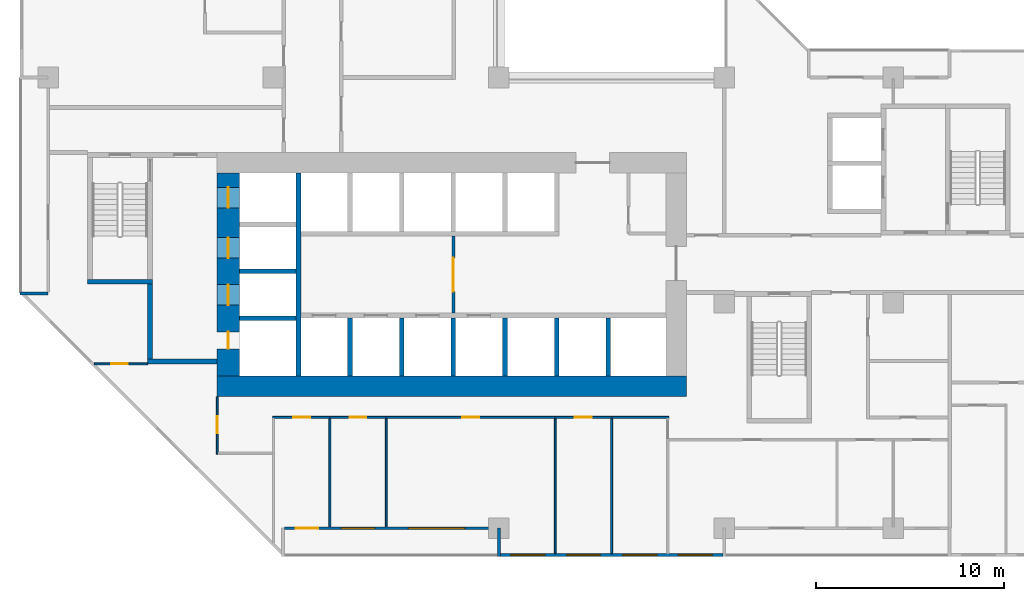
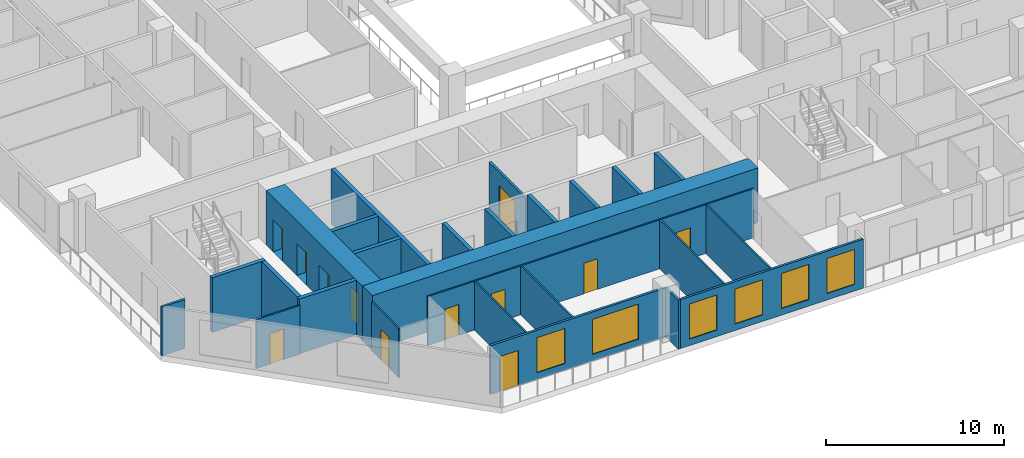
# One storey, part 4 of 15: 26 walls, 12 doors, 6 windows, 18 openings.
"""IFC4 building model written with IfcOpenShell, lengths in metres."""

from ifc_helpers import new_model, si_unit, direction, frame, frame_2d, origin, place, context, subcontext, project, spatial, rectangle, extrude, material, layer, layer_set, type_object, element, fill, save


model = new_model("IFC4")

# Units and contexts
model_context = context("Model", 3, precision=1e-05, world=origin(), true_north=direction((0.0, 1.0)))
body_context = subcontext(model_context, "Body", "Model", "MODEL_VIEW")
ifc_project = project(units=[si_unit("LENGTHUNIT", "METRE"), si_unit("AREAUNIT", "SQUARE_METRE"), si_unit("VOLUMEUNIT", "CUBIC_METRE"), si_unit("PLANEANGLEUNIT", "RADIAN"), si_unit("MASSUNIT", "GRAM", prefix="KILO")], contexts=[model_context])

# Site, building, storey
site_placement = place(None, origin())
site = spatial("IfcSite", under=ifc_project, at=site_placement, CompositionType="ELEMENT")
building_placement = place(site_placement, origin())
building = spatial("IfcBuilding", under=site, at=building_placement, Name="Chenar Terraces", CompositionType="ELEMENT")
storey_placement = place(building_placement, frame((0.0, 0.0, 45.14990234375)))
storey = spatial("IfcBuildingStorey", under=building, at=storey_placement, Name="L08", CompositionType="ELEMENT", Elevation=45.14990234375)

# Wall, opening, door
ifc_material_1 = material(Name="Gypsum board on steel studs", Category="steel")
ifc_layer_1 = layer(ifc_material_1, 0.14990234375)
ifc_layer_set_1 = layer_set([ifc_layer_1], Name="Gypsum board on steel studs")
wall_type_1 = type_object("IfcWallType", Name="Core partition 150 gypsum board", PredefinedType="PARTITIONING", material=ifc_layer_set_1)
wall_1_placement = place(storey_placement, frame((21.574951171875, 11.449951171875, 0.0), z_axis=(0.0, 0.0, 1.0), x_axis=(0.0, 1.0, 0.0)))
wall_1 = element("IfcWall", 1, at=wall_1_placement, inside=storey, type_object=wall_type_1, Name="Core partition CP1 lift lobby smoke stop", PredefinedType="PARTITIONING", context=body_context, shape_type="SweptSolid", body=[
    extrude(rectangle(XDim=4.10009765625, YDim=0.14990234375, at=frame_2d((2.050048828125, 0.0))), origin(), (0.0, 0.0, 1.0), 3.35009765625),
])
opening_1_placement = place(wall_1_placement, frame((1.14990234375, 0.0, 0.0)))
opening_1 = element("IfcOpeningElement", 2, at=opening_1_placement, cuts=wall_1, Name="Opening DL08-C12", PredefinedType="OPENING", context=body_context, shape_type="SweptSolid", body=[
    extrude(rectangle(XDim=1.800048828125, YDim=2.39990234375, at=frame_2d((0.89990234375, 1.199951171875))), frame((0.0, 0.0849609375, 0.0), z_axis=(0.0, -1.0, 0.0), x_axis=(1.0, 0.0, 0.0)), (0.0, 0.0, 1.0), 0.169921875),
])
ifc_material_2 = material(Name="Steel-framed fire-resisting door leaf", Category="steel")
door_type_1 = type_object("IfcDoorType", Name="Core entrance double fire door FD60 1800 x 2400", OperationType="DOUBLE_DOOR_SINGLE_SWING", PredefinedType="DOOR", material=ifc_material_2)
door_1_placement = place(opening_1_placement, frame((1.800048828125, 0.0, 0.0), z_axis=(0.0, 0.0, 1.0), x_axis=(-1.0, 0.0, 0.0)))
door_1 = element("IfcDoor", 3, at=door_1_placement, inside=storey, type_object=door_type_1, Name="Core door DL08-C12", OperationType="DOUBLE_DOOR_SINGLE_SWING", OverallHeight=2.39990234375, OverallWidth=1.800048828125, PredefinedType="DOOR", context=body_context, shape_type="SweptSolid", body=[
    extrude(rectangle(XDim=1.800048828125, YDim=2.39990234375, at=frame_2d((0.89990234375, 1.199951171875))), frame((0.0, 0.02490234375, 0.0), z_axis=(0.0, -1.0, 0.0), x_axis=(1.0, 0.0, 0.0)), (0.0, 0.0, 1.0), 0.050048828125),
])
fill(opening_1, door_1)

# Wall
ifc_material_3 = material(Name="Concrete C70/85", Category="concrete")
ifc_layer_2 = layer(ifc_material_3, 1.10009765625)
ifc_layer_set_2 = layer_set([ifc_layer_2], Name="Concrete C70/85")
wall_type_2 = type_object("IfcWallType", Name="Core wall 1100 Concrete C70/85", PredefinedType="SHEAR", material=ifc_layer_set_2)
wall_2_placement = place(storey_placement, frame((9.0, 7.550048828125, 0.0), z_axis=(0.0, 0.0, 1.0), x_axis=(1.0, 0.0, 0.0)))
element("IfcWall", 4, at=wall_2_placement, inside=storey, type_object=wall_type_2, Name="Core wall S L08", PredefinedType="SHEAR", context=body_context, shape_type="SweptSolid", body=[
    extrude(rectangle(XDim=25.0, YDim=1.10009765625, at=frame_2d((12.5, 0.0))), origin(), (0.0, 0.0, 1.0), 3.75),
])

# Wall, openings, doors
ifc_material_4 = material(Name="Concrete C70/85", Category="concrete")
ifc_layer_3 = layer(ifc_material_4, 1.199951171875)
ifc_layer_set_3 = layer_set([ifc_layer_3], Name="Concrete C70/85")
wall_type_3 = type_object("IfcWallType", Name="Core wall 1200 Concrete C70/85", PredefinedType="SHEAR", material=ifc_layer_set_3)
wall_3_placement = place(storey_placement, frame((9.60009765625, 8.10009765625, 0.0), z_axis=(0.0, 0.0, 1.0), x_axis=(0.0, 1.0, 0.0)))
wall_3 = element("IfcWall", 5, at=wall_3_placement, inside=storey, type_object=wall_type_3, Name="Core wall W L08", PredefinedType="SHEAR", context=body_context, shape_type="SweptSolid", body=[
    extrude(rectangle(XDim=10.7998046875, YDim=1.199951171875, at=frame_2d((5.39990234375, 0.0))), origin(), (0.0, 0.0, 1.0), 3.75),
])
opening_2_placement = place(wall_3_placement, frame((3.77490234375, 0.0, 0.0)))
opening_2 = element("IfcOpeningElement", 6, at=opening_2_placement, cuts=wall_3, Name="Opening DL08-LD5", PredefinedType="OPENING", context=body_context, shape_type="SweptSolid", body=[
    extrude(rectangle(XDim=1.10009765625, YDim=2.199951171875, at=frame_2d((0.550048828125, 1.10009765625))), frame((0.0, 0.60986328125, 0.0), z_axis=(0.0, -1.0, 0.0), x_axis=(1.0, 0.0, 0.0)), (0.0, 0.0, 1.0), 1.219970703125),
])
opening_3_placement = place(wall_3_placement, frame((6.27490234375, 0.0, 0.0)))
opening_3 = element("IfcOpeningElement", 7, at=opening_3_placement, cuts=wall_3, Name="Opening DL08-LD6", PredefinedType="OPENING", context=body_context, shape_type="SweptSolid", body=[
    extrude(rectangle(XDim=1.10009765625, YDim=2.199951171875, at=frame_2d((0.550048828125, 1.10009765625))), frame((0.0, 0.60986328125, 0.0), z_axis=(0.0, -1.0, 0.0), x_axis=(1.0, 0.0, 0.0)), (0.0, 0.0, 1.0), 1.219970703125),
])
opening_4_placement = place(wall_3_placement, frame((8.949951171875, 0.0, 0.0)))
opening_4 = element("IfcOpeningElement", 8, at=opening_4_placement, cuts=wall_3, Name="Opening DL08-LD7", PredefinedType="OPENING", context=body_context, shape_type="SweptSolid", body=[
    extrude(rectangle(XDim=1.10009765625, YDim=2.199951171875, at=frame_2d((0.550048828125, 1.10009765625))), frame((0.0, 0.60986328125, 0.0), z_axis=(0.0, -1.0, 0.0), x_axis=(1.0, 0.0, 0.0)), (0.0, 0.0, 1.0), 1.219970703125),
])
opening_5_placement = place(wall_3_placement, frame((1.449951171875, 0.0, 0.0)))
opening_5 = element("IfcOpeningElement", 9, at=opening_5_placement, cuts=wall_3, Name="Opening DL08-C4", PredefinedType="OPENING", context=body_context, shape_type="SweptSolid", body=[
    extrude(rectangle(XDim=0.89990234375, YDim=2.10009765625, at=frame_2d((0.449951171875, 1.050048828125))), frame((0.0, 0.60986328125, 0.0), z_axis=(0.0, -1.0, 0.0), x_axis=(1.0, 0.0, 0.0)), (0.0, 0.0, 1.0), 1.219970703125),
])
ifc_material_5 = material(Name="Stainless steel", Category="steel")
door_type_2 = type_object("IfcDoorType", Name="Lift landing door 1100 x 2200 sliding", OperationType="DOUBLE_DOOR_SLIDING", PredefinedType="DOOR", material=ifc_material_5)
door_2_placement = place(opening_2_placement, origin())
door_2 = element("IfcDoor", 10, at=door_2_placement, inside=storey, type_object=door_type_2, Name="Landing door S1", OperationType="DOUBLE_DOOR_SLIDING", OverallHeight=2.199951171875, OverallWidth=1.10009765625, PredefinedType="DOOR", context=body_context, shape_type="SweptSolid", body=[
    extrude(rectangle(XDim=1.10009765625, YDim=2.199951171875, at=frame_2d((0.550048828125, 1.10009765625))), frame((0.0, 0.02490234375, 0.0), z_axis=(0.0, -1.0, 0.0), x_axis=(1.0, 0.0, 0.0)), (0.0, 0.0, 1.0), 0.050048828125),
])
fill(opening_2, door_2)
door_3_placement = place(opening_3_placement, origin())
door_3 = element("IfcDoor", 11, at=door_3_placement, inside=storey, type_object=door_type_2, Name="Landing door F1", OperationType="DOUBLE_DOOR_SLIDING", OverallHeight=2.199951171875, OverallWidth=1.10009765625, PredefinedType="DOOR", context=body_context, shape_type="SweptSolid", body=[
    extrude(rectangle(XDim=1.10009765625, YDim=2.199951171875, at=frame_2d((0.550048828125, 1.10009765625))), frame((0.0, 0.02490234375, 0.0), z_axis=(0.0, -1.0, 0.0), x_axis=(1.0, 0.0, 0.0)), (0.0, 0.0, 1.0), 0.050048828125),
])
fill(opening_3, door_3)
door_4_placement = place(opening_4_placement, origin())
door_4 = element("IfcDoor", 12, at=door_4_placement, inside=storey, type_object=door_type_2, Name="Landing door F2", OperationType="DOUBLE_DOOR_SLIDING", OverallHeight=2.199951171875, OverallWidth=1.10009765625, PredefinedType="DOOR", context=body_context, shape_type="SweptSolid", body=[
    extrude(rectangle(XDim=1.10009765625, YDim=2.199951171875, at=frame_2d((0.550048828125, 1.10009765625))), frame((0.0, 0.02490234375, 0.0), z_axis=(0.0, -1.0, 0.0), x_axis=(1.0, 0.0, 0.0)), (0.0, 0.0, 1.0), 0.050048828125),
])
fill(opening_4, door_4)
ifc_material_6 = material(Name="Steel-framed fire-resisting door leaf", Category="steel")
door_type_3 = type_object("IfcDoorType", Name="Riser fire door FD60 900 x 2100", OperationType="SINGLE_SWING_LEFT", PredefinedType="DOOR", material=ifc_material_6)
door_5_placement = place(opening_5_placement, frame((0.89990234375, 0.0, 0.0), z_axis=(0.0, 0.0, 1.0), x_axis=(-1.0, 0.0, 0.0)))
door_5 = element("IfcDoor", 13, at=door_5_placement, inside=storey, type_object=door_type_3, Name="Riser door DL08-C4", OperationType="SINGLE_SWING_RIGHT", OverallHeight=2.10009765625, OverallWidth=0.89990234375, PredefinedType="DOOR", context=body_context, shape_type="SweptSolid", body=[
    extrude(rectangle(XDim=0.89990234375, YDim=2.10009765625, at=frame_2d((0.449951171875, 1.050048828125))), frame((0.0, 0.02490234375, 0.0), z_axis=(0.0, -1.0, 0.0), x_axis=(1.0, 0.0, 0.0)), (0.0, 0.0, 1.0), 0.050048828125),
])
fill(opening_5, door_5)

# Walls
ifc_material_7 = material(Name="Concrete C70/85", Category="concrete")
ifc_layer_4 = layer(ifc_material_7, 0.25)
ifc_layer_set_4 = layer_set([ifc_layer_4], Name="Concrete C70/85")
wall_type_4 = type_object("IfcWallType", Name="Core wall 250 Concrete C70/85", PredefinedType="SHEAR", material=ifc_layer_set_4)
wall_4_placement = place(storey_placement, frame((13.324951171875, 8.10009765625, 0.0), z_axis=(0.0, 0.0, 1.0), x_axis=(0.0, 1.0, 0.0)))
element("IfcWall", 14, at=wall_4_placement, inside=storey, type_object=wall_type_4, Name="Core wall WI L08", PredefinedType="SHEAR", context=body_context, shape_type="SweptSolid", body=[
    extrude(rectangle(XDim=10.7998046875, YDim=0.25, at=frame_2d((5.39990234375, 0.0))), origin(), (0.0, 0.0, 1.0), 3.75),
])
for number, where, z_axis, x_axis, name in (
    (15, (10.199951171875, 11.175048828125, 0.0), (0.0, 0.0, 1.0), (1.0, 0.0, 0.0), "Core wall HW0 L08"),
    (16, (10.199951171875, 13.675048828125, 0.0), (0.0, 0.0, 1.0), (1.0, 0.0, 0.0), "Core wall HW1 L08"),
):
    element("IfcWall", number, at=place(storey_placement, frame(where, z_axis=z_axis, x_axis=x_axis)), inside=storey, type_object=wall_type_4, Name=name, PredefinedType="SHEAR", context=body_context, shape_type="SweptSolid", body=[
        extrude(rectangle(XDim=3.0, YDim=0.25, at=frame_2d((1.5, 0.0))), origin(), (0.0, 0.0, 1.0), 3.75),
    ])
for number, where, z_axis, x_axis, name in (
    (17, (16.074951171875, 8.10009765625, 0.0), (0.0, 0.0, 1.0), (0.0, 1.0, 0.0), "Core wall SS0 L08"),
    (18, (18.824951171875, 8.10009765625, 0.0), (0.0, 0.0, 1.0), (0.0, 1.0, 0.0), "Core wall SS1 L08"),
    (19, (21.574951171875, 8.10009765625, 0.0), (0.0, 0.0, 1.0), (0.0, 1.0, 0.0), "Core wall SS2 L08"),
    (20, (24.324951171875, 8.10009765625, 0.0), (0.0, 0.0, 1.0), (0.0, 1.0, 0.0), "Core wall SS3 L08"),
    (21, (27.074951171875, 8.10009765625, 0.0), (0.0, 0.0, 1.0), (0.0, 1.0, 0.0), "Core wall SS4 L08"),
    (22, (29.824951171875, 8.10009765625, 0.0), (0.0, 0.0, 1.0), (0.0, 1.0, 0.0), "Core wall SS5 L08"),
):
    element("IfcWall", number, at=place(storey_placement, frame(where, z_axis=z_axis, x_axis=x_axis)), inside=storey, type_object=wall_type_4, Name=name, PredefinedType="SHEAR", context=body_context, shape_type="SweptSolid", body=[
        extrude(rectangle(XDim=3.099853515625, YDim=0.25, at=frame_2d((1.5498046875, 0.0))), origin(), (0.0, 0.0, 1.0), 3.75),
    ])
wall_5_placement = place(storey_placement, frame((2.10009765625, 13.125, 0.0), z_axis=(0.0, 0.0, 1.0), x_axis=(1.0, 0.0, 0.0)))
element("IfcWall", 23, at=wall_5_placement, inside=storey, type_object=wall_type_4, Name="Core wall ST1_S L08", PredefinedType="SHEAR", context=body_context, shape_type="SweptSolid", body=[
    extrude(rectangle(XDim=3.449951171875, YDim=0.25, at=frame_2d((1.72509765625, 0.0))), origin(), (0.0, 0.0, 1.0), 3.75),
])
wall_6_placement = place(storey_placement, frame((5.300048828125, 8.875, 0.0), z_axis=(0.0, 0.0, 1.0), x_axis=(1.0, 0.0, 0.0)))
element("IfcWall", 24, at=wall_6_placement, inside=storey, type_object=wall_type_4, Name="Core wall FFL_S L08", PredefinedType="SHEAR", context=body_context, shape_type="SweptSolid", body=[
    extrude(rectangle(XDim=3.699951171875, YDim=0.25, at=frame_2d((1.85009765625, 0.0))), origin(), (0.0, 0.0, 1.0), 3.75),
])
wall_7_placement = place(storey_placement, frame((5.425048828125, 9.0, 0.0), z_axis=(0.0, 0.0, 1.0), x_axis=(0.0, 1.0, 0.0)))
element("IfcWall", 25, at=wall_7_placement, inside=storey, type_object=wall_type_4, Name="Core wall FFL_W L08", PredefinedType="SHEAR", context=body_context, shape_type="SweptSolid", body=[
    extrude(rectangle(XDim=4.0, YDim=0.25, at=frame_2d((2.0, 0.0))), origin(), (0.0, 0.0, 1.0), 3.75),
])

# Wall, openings, windows
ifc_material_8 = material(Name="Aluminium framed glazing", Category="aluminium")
ifc_layer_5 = layer(ifc_material_8, 0.14990234375)
ifc_layer_set_5 = layer_set([ifc_layer_5], Name="Aluminium framed glazing")
wall_type_5 = type_object("IfcWallType", Name="Glazed flush facade wall 150", PredefinedType="SOLIDWALL", material=ifc_layer_set_5)
wall_8_placement = place(storey_placement, frame((24.074951171875, -1.425048828125, 0.0), z_axis=(0.0, 0.0, 1.0), x_axis=(1.0, 0.0, 0.0)))
wall_8 = element("IfcWall", 26, at=wall_8_placement, inside=storey, type_object=wall_type_5, Name="Glazed flush facade wall", PredefinedType="SOLIDWALL", context=body_context, shape_type="SweptSolid", body=[
    extrude(rectangle(XDim=11.85009765625, YDim=0.14990234375, at=frame_2d((5.925048828125, 0.0))), origin(), (0.0, 0.0, 1.0), 3.35009765625),
])
opening_6_placement = place(wall_8_placement, frame((0.5625, 0.0, 0.449951171875)))
opening_6 = element("IfcOpeningElement", 27, at=opening_6_placement, cuts=wall_8, Name="Opening W180x240", PredefinedType="OPENING", context=body_context, shape_type="SweptSolid", body=[
    extrude(rectangle(XDim=1.800048828125, YDim=2.39990234375, at=frame_2d((0.89990234375, 1.199951171875))), frame((0.0, 0.0849609375, 0.0), z_axis=(0.0, -1.0, 0.0), x_axis=(1.0, 0.0, 0.0)), (0.0, 0.0, 1.0), 0.169921875),
])
opening_7_placement = place(wall_8_placement, frame((3.52490234375, 0.0, 0.449951171875)))
opening_7 = element("IfcOpeningElement", 28, at=opening_7_placement, cuts=wall_8, Name="Opening W180x240", PredefinedType="OPENING", context=body_context, shape_type="SweptSolid", body=[
    extrude(rectangle(XDim=1.800048828125, YDim=2.39990234375, at=frame_2d((0.89990234375, 1.199951171875))), frame((0.0, 0.0849609375, 0.0), z_axis=(0.0, -1.0, 0.0), x_axis=(1.0, 0.0, 0.0)), (0.0, 0.0, 1.0), 0.169921875),
])
opening_8_placement = place(wall_8_placement, frame((6.52490234375, 0.0, 0.449951171875)))
opening_8 = element("IfcOpeningElement", 29, at=opening_8_placement, cuts=wall_8, Name="Opening W180x240", PredefinedType="OPENING", context=body_context, shape_type="SweptSolid", body=[
    extrude(rectangle(XDim=1.800048828125, YDim=2.39990234375, at=frame_2d((0.89990234375, 1.199951171875))), frame((0.0, 0.0849609375, 0.0), z_axis=(0.0, -1.0, 0.0), x_axis=(1.0, 0.0, 0.0)), (0.0, 0.0, 1.0), 0.169921875),
])
opening_9_placement = place(wall_8_placement, frame((9.487548828125, 0.0, 0.449951171875)))
opening_9 = element("IfcOpeningElement", 30, at=opening_9_placement, cuts=wall_8, Name="Opening W180x240", PredefinedType="OPENING", context=body_context, shape_type="SweptSolid", body=[
    extrude(rectangle(XDim=1.800048828125, YDim=2.39990234375, at=frame_2d((0.89990234375, 1.199951171875))), frame((0.0, 0.0849609375, 0.0), z_axis=(0.0, -1.0, 0.0), x_axis=(1.0, 0.0, 0.0)), (0.0, 0.0, 1.0), 0.169921875),
])
ifc_material_9 = material(Name="Low emissivity double glazing, aluminium frame", Category="aluminium")
window_type_1 = type_object("IfcWindowType", Name="Fixed light 1800 x 2400", PartitioningType="SINGLE_PANEL", PredefinedType="WINDOW", material=ifc_material_9)
window_1_placement = place(opening_6_placement, origin())
window_1 = element("IfcWindow", 31, at=window_1_placement, inside=storey, type_object=window_type_1, Name="Window", OverallHeight=2.39990234375, OverallWidth=1.800048828125, PartitioningType="SINGLE_PANEL", PredefinedType="WINDOW", context=body_context, shape_type="SweptSolid", body=[
    extrude(rectangle(XDim=1.800048828125, YDim=2.39990234375, at=frame_2d((0.89990234375, 1.199951171875))), frame((0.0, 0.030029296875, 0.0), z_axis=(0.0, -1.0, 0.0), x_axis=(1.0, 0.0, 0.0)), (0.0, 0.0, 1.0), 0.06005859375),
])
fill(opening_6, window_1)
window_2_placement = place(opening_7_placement, origin())
window_2 = element("IfcWindow", 32, at=window_2_placement, inside=storey, type_object=window_type_1, Name="Window", OverallHeight=2.39990234375, OverallWidth=1.800048828125, PartitioningType="SINGLE_PANEL", PredefinedType="WINDOW", context=body_context, shape_type="SweptSolid", body=[
    extrude(rectangle(XDim=1.800048828125, YDim=2.39990234375, at=frame_2d((0.89990234375, 1.199951171875))), frame((0.0, 0.030029296875, 0.0), z_axis=(0.0, -1.0, 0.0), x_axis=(1.0, 0.0, 0.0)), (0.0, 0.0, 1.0), 0.06005859375),
])
fill(opening_7, window_2)
window_3_placement = place(opening_8_placement, origin())
window_3 = element("IfcWindow", 33, at=window_3_placement, inside=storey, type_object=window_type_1, Name="Window", OverallHeight=2.39990234375, OverallWidth=1.800048828125, PartitioningType="SINGLE_PANEL", PredefinedType="WINDOW", context=body_context, shape_type="SweptSolid", body=[
    extrude(rectangle(XDim=1.800048828125, YDim=2.39990234375, at=frame_2d((0.89990234375, 1.199951171875))), frame((0.0, 0.030029296875, 0.0), z_axis=(0.0, -1.0, 0.0), x_axis=(1.0, 0.0, 0.0)), (0.0, 0.0, 1.0), 0.06005859375),
])
fill(opening_8, window_3)
window_4_placement = place(opening_9_placement, origin())
window_4 = element("IfcWindow", 34, at=window_4_placement, inside=storey, type_object=window_type_1, Name="Window", OverallHeight=2.39990234375, OverallWidth=1.800048828125, PartitioningType="SINGLE_PANEL", PredefinedType="WINDOW", context=body_context, shape_type="SweptSolid", body=[
    extrude(rectangle(XDim=1.800048828125, YDim=2.39990234375, at=frame_2d((0.89990234375, 1.199951171875))), frame((0.0, 0.030029296875, 0.0), z_axis=(0.0, -1.0, 0.0), x_axis=(1.0, 0.0, 0.0)), (0.0, 0.0, 1.0), 0.06005859375),
])
fill(opening_9, window_4)

# Wall, openings, windows, door
ifc_material_10 = material(Name="Aluminium framed glazing", Category="aluminium")
ifc_layer_6 = layer(ifc_material_10, 0.14990234375)
ifc_layer_set_6 = layer_set([ifc_layer_6], Name="Aluminium framed glazing")
wall_type_6 = type_object("IfcWallType", Name="Glazed loggia back wall 150", PredefinedType="SOLIDWALL", material=ifc_layer_set_6)
wall_9_placement = place(storey_placement, frame((12.574951171875, 0.0, 0.0), z_axis=(0.0, 0.0, 1.0), x_axis=(1.0, 0.0, 0.0)))
wall_9 = element("IfcWall", 35, at=wall_9_placement, inside=storey, type_object=wall_type_6, Name="Glazed loggia back wall", PredefinedType="SOLIDWALL", context=body_context, shape_type="SweptSolid", body=[
    extrude(rectangle(XDim=11.35009765625, YDim=0.14990234375, at=frame_2d((5.675048828125, 0.0))), origin(), (0.0, 0.0, 1.0), 3.35009765625),
])
opening_10_placement = place(wall_9_placement, frame((0.612548828125, 0.0, 0.0)))
opening_10 = element("IfcOpeningElement", 36, at=opening_10_placement, cuts=wall_9, Name="Opening DL08-G6", PredefinedType="OPENING", context=body_context, shape_type="SweptSolid", body=[
    extrude(rectangle(XDim=1.199951171875, YDim=2.39990234375, at=frame_2d((0.60009765625, 1.199951171875))), frame((0.0, 0.0849609375, 0.0), z_axis=(0.0, -1.0, 0.0), x_axis=(1.0, 0.0, 0.0)), (0.0, 0.0, 1.0), 0.169921875),
])
opening_11_placement = place(wall_9_placement, frame((3.02490234375, 0.0, 0.449951171875)))
opening_11 = element("IfcOpeningElement", 37, at=opening_11_placement, cuts=wall_9, Name="Opening W180x240", PredefinedType="OPENING", context=body_context, shape_type="SweptSolid", body=[
    extrude(rectangle(XDim=1.800048828125, YDim=2.39990234375, at=frame_2d((0.89990234375, 1.199951171875))), frame((0.0, 0.0849609375, 0.0), z_axis=(0.0, -1.0, 0.0), x_axis=(1.0, 0.0, 0.0)), (0.0, 0.0, 1.0), 0.169921875),
])
opening_12_placement = place(wall_9_placement, frame((6.60009765625, 0.0, 0.449951171875)))
opening_12 = element("IfcOpeningElement", 38, at=opening_12_placement, cuts=wall_9, Name="Opening W300x240", PredefinedType="OPENING", context=body_context, shape_type="SweptSolid", body=[
    extrude(rectangle(XDim=3.0, YDim=2.39990234375, at=frame_2d((1.5, 1.199951171875))), frame((0.0, 0.0849609375, 0.0), z_axis=(0.0, -1.0, 0.0), x_axis=(1.0, 0.0, 0.0)), (0.0, 0.0, 1.0), 0.169921875),
])
window_5_placement = place(opening_11_placement, origin())
window_5 = element("IfcWindow", 39, at=window_5_placement, inside=storey, type_object=window_type_1, Name="Window", OverallHeight=2.39990234375, OverallWidth=1.800048828125, PartitioningType="SINGLE_PANEL", PredefinedType="WINDOW", context=body_context, shape_type="SweptSolid", body=[
    extrude(rectangle(XDim=1.800048828125, YDim=2.39990234375, at=frame_2d((0.89990234375, 1.199951171875))), frame((0.0, 0.030029296875, 0.0), z_axis=(0.0, -1.0, 0.0), x_axis=(1.0, 0.0, 0.0)), (0.0, 0.0, 1.0), 0.06005859375),
])
fill(opening_11, window_5)
ifc_material_11 = material(Name="Low emissivity double glazing, aluminium frame", Category="aluminium")
window_type_2 = type_object("IfcWindowType", Name="Fixed light 3000 x 2400", PartitioningType="SINGLE_PANEL", PredefinedType="WINDOW", material=ifc_material_11)
window_6_placement = place(opening_12_placement, origin())
window_6 = element("IfcWindow", 40, at=window_6_placement, inside=storey, type_object=window_type_2, Name="Window", OverallHeight=2.39990234375, OverallWidth=3.0, PartitioningType="SINGLE_PANEL", PredefinedType="WINDOW", context=body_context, shape_type="SweptSolid", body=[
    extrude(rectangle(XDim=3.0, YDim=2.39990234375, at=frame_2d((1.5, 1.199951171875))), frame((0.0, 0.030029296875, 0.0), z_axis=(0.0, -1.0, 0.0), x_axis=(1.0, 0.0, 0.0)), (0.0, 0.0, 1.0), 0.06005859375),
])
fill(opening_12, window_6)
ifc_material_12 = material(Name="Low emissivity double glazing, aluminium frame", Category="aluminium")
door_type_4 = type_object("IfcDoorType", Name="Loggia glazed double door 1200 x 2400", OperationType="DOUBLE_DOOR_SINGLE_SWING", PredefinedType="DOOR", material=ifc_material_12)
door_6_placement = place(opening_10_placement, frame((1.199951171875, 0.0, 0.0), z_axis=(0.0, 0.0, 1.0), x_axis=(-1.0, 0.0, 0.0)))
door_6 = element("IfcDoor", 41, at=door_6_placement, inside=storey, type_object=door_type_4, Name="Loggia glazed door", OperationType="DOUBLE_DOOR_SINGLE_SWING", OverallHeight=2.39990234375, OverallWidth=1.199951171875, PredefinedType="DOOR", context=body_context, shape_type="SweptSolid", body=[
    extrude(rectangle(XDim=1.199951171875, YDim=2.39990234375, at=frame_2d((0.60009765625, 1.199951171875))), frame((0.0, 0.02490234375, 0.0), z_axis=(0.0, -1.0, 0.0), x_axis=(1.0, 0.0, 0.0)), (0.0, 0.0, 1.0), 0.050048828125),
])
fill(opening_10, door_6)

# Wall, opening, door
ifc_material_13 = material(Name="Gypsum board on steel studs", Category="steel")
ifc_layer_7 = layer(ifc_material_13, 0.10009765625)
ifc_layer_set_7 = layer_set([ifc_layer_7], Name="Gypsum board on steel studs")
wall_type_7 = type_object("IfcWallType", Name="Gypsum partition 100", PredefinedType="PARTITIONING", material=ifc_layer_set_7)
wall_10_placement = place(storey_placement, frame((2.4609375, 8.75, 0.0), z_axis=(0.0, 0.0, 1.0), x_axis=(1.0, 0.0, 0.0)))
wall_10 = element("IfcWall", 42, at=wall_10_placement, inside=storey, type_object=wall_type_7, Name="Partition L08-011", PredefinedType="PARTITIONING", context=body_context, shape_type="SweptSolid", body=[
    extrude(rectangle(XDim=2.839111328125, YDim=0.10009765625, at=frame_2d((1.41943359375, 0.0))), origin(), (0.0, 0.0, 1.0), 3.35009765625),
])
opening_13_placement = place(wall_10_placement, frame((0.888916015625, 0.0, 0.0)))
opening_13 = element("IfcOpeningElement", 43, at=opening_13_placement, cuts=wall_10, Name="Opening DL08-60", PredefinedType="OPENING", context=body_context, shape_type="SweptSolid", body=[
    extrude(rectangle(XDim=0.89990234375, YDim=2.10009765625, at=frame_2d((0.449951171875, 1.050048828125))), frame((0.0, 0.06005859375, 0.0), z_axis=(0.0, -1.0, 0.0), x_axis=(1.0, 0.0, 0.0)), (0.0, 0.0, 1.0), 0.1201171875),
])
ifc_material_14 = material(Name="Veneered timber door leaf", Category="wood")
door_type_5 = type_object("IfcDoorType", Name="Door 900 x 2100", OperationType="SINGLE_SWING_LEFT", PredefinedType="DOOR", material=ifc_material_14)
door_7_placement = place(opening_13_placement, frame((0.89990234375, 0.0, 0.0), z_axis=(0.0, 0.0, 1.0), x_axis=(-1.0, 0.0, 0.0)))
door_7 = element("IfcDoor", 44, at=door_7_placement, inside=storey, type_object=door_type_5, Name="Door DL08-60", OperationType="SINGLE_SWING_RIGHT", OverallHeight=2.10009765625, OverallWidth=0.89990234375, PredefinedType="DOOR", context=body_context, shape_type="SweptSolid", body=[
    extrude(rectangle(XDim=0.89990234375, YDim=2.10009765625, at=frame_2d((0.449951171875, 1.050048828125))), frame((0.0, 0.02490234375, 0.0), z_axis=(0.0, -1.0, 0.0), x_axis=(1.0, 0.0, 0.0)), (0.0, 0.0, 1.0), 0.050048828125),
])
fill(opening_13, door_7)

wall_11_placement = place(storey_placement, frame((9.0, 3.949951171875, 0.0), z_axis=(0.0, 0.0, 1.0), x_axis=(0.0, 1.0, 0.0)))
wall_11 = element("IfcWall", 45, at=wall_11_placement, inside=storey, type_object=wall_type_7, Name="Partition L08-032", PredefinedType="PARTITIONING", context=body_context, shape_type="SweptSolid", body=[
    extrude(rectangle(XDim=3.050048828125, YDim=0.10009765625, at=frame_2d((1.52490234375, 0.0))), origin(), (0.0, 0.0, 1.0), 3.35009765625),
])
opening_14_placement = place(wall_11_placement, frame((1.10009765625, 0.0, 0.0)))
opening_14 = element("IfcOpeningElement", 46, at=opening_14_placement, cuts=wall_11, Name="Opening DL08-59", PredefinedType="OPENING", context=body_context, shape_type="SweptSolid", body=[
    extrude(rectangle(XDim=0.89990234375, YDim=2.10009765625, at=frame_2d((0.449951171875, 1.050048828125))), frame((0.0, 0.06005859375, 0.0), z_axis=(0.0, -1.0, 0.0), x_axis=(1.0, 0.0, 0.0)), (0.0, 0.0, 1.0), 0.1201171875),
])
door_8_placement = place(opening_14_placement, origin())
door_8 = element("IfcDoor", 47, at=door_8_placement, inside=storey, type_object=door_type_5, Name="Door DL08-59", OperationType="SINGLE_SWING_LEFT", OverallHeight=2.10009765625, OverallWidth=0.89990234375, PredefinedType="DOOR", context=body_context, shape_type="SweptSolid", body=[
    extrude(rectangle(XDim=0.89990234375, YDim=2.10009765625, at=frame_2d((0.449951171875, 1.050048828125))), frame((0.0, 0.02490234375, 0.0), z_axis=(0.0, -1.0, 0.0), x_axis=(1.0, 0.0, 0.0)), (0.0, 0.0, 1.0), 0.050048828125),
])
fill(opening_14, door_8)

# Wall, openings, doors
wall_12_placement = place(storey_placement, frame((11.949951171875, 5.89990234375, 0.0), z_axis=(0.0, 0.0, 1.0), x_axis=(1.0, 0.0, 0.0)))
wall_12 = element("IfcWall", 48, at=wall_12_placement, inside=storey, type_object=wall_type_7, Name="Partition L08-034", PredefinedType="PARTITIONING", context=body_context, shape_type="SweptSolid", body=[
    extrude(rectangle(XDim=21.10009765625, YDim=0.10009765625, at=frame_2d((10.550048828125, 0.0))), origin(), (0.0, 0.0, 1.0), 3.35009765625),
])
opening_15_placement = place(wall_12_placement, frame((1.10009765625, 0.0, 0.0)))
opening_15 = element("IfcOpeningElement", 49, at=opening_15_placement, cuts=wall_12, Name="Opening DL08-53", PredefinedType="OPENING", context=body_context, shape_type="SweptSolid", body=[
    extrude(rectangle(XDim=0.89990234375, YDim=2.10009765625, at=frame_2d((0.449951171875, 1.050048828125))), frame((0.0, 0.06005859375, 0.0), z_axis=(0.0, -1.0, 0.0), x_axis=(1.0, 0.0, 0.0)), (0.0, 0.0, 1.0), 0.1201171875),
])
opening_16_placement = place(wall_12_placement, frame((4.10009765625, 0.0, 0.0)))
opening_16 = element("IfcOpeningElement", 50, at=opening_16_placement, cuts=wall_12, Name="Opening DL08-54", PredefinedType="OPENING", context=body_context, shape_type="SweptSolid", body=[
    extrude(rectangle(XDim=0.89990234375, YDim=2.10009765625, at=frame_2d((0.449951171875, 1.050048828125))), frame((0.0, 0.06005859375, 0.0), z_axis=(0.0, -1.0, 0.0), x_axis=(1.0, 0.0, 0.0)), (0.0, 0.0, 1.0), 0.1201171875),
])
opening_17_placement = place(wall_12_placement, frame((16.10009765625, 0.0, 0.0)))
opening_17 = element("IfcOpeningElement", 51, at=opening_17_placement, cuts=wall_12, Name="Opening DL08-55", PredefinedType="OPENING", context=body_context, shape_type="SweptSolid", body=[
    extrude(rectangle(XDim=0.89990234375, YDim=2.10009765625, at=frame_2d((0.449951171875, 1.050048828125))), frame((0.0, 0.06005859375, 0.0), z_axis=(0.0, -1.0, 0.0), x_axis=(1.0, 0.0, 0.0)), (0.0, 0.0, 1.0), 0.1201171875),
])
opening_18_placement = place(wall_12_placement, frame((10.10009765625, 0.0, 0.0)))
opening_18 = element("IfcOpeningElement", 52, at=opening_18_placement, cuts=wall_12, Name="Opening DL08-63", PredefinedType="OPENING", context=body_context, shape_type="SweptSolid", body=[
    extrude(rectangle(XDim=0.89990234375, YDim=2.10009765625, at=frame_2d((0.449951171875, 1.050048828125))), frame((0.0, 0.06005859375, 0.0), z_axis=(0.0, -1.0, 0.0), x_axis=(1.0, 0.0, 0.0)), (0.0, 0.0, 1.0), 0.1201171875),
])
door_9_placement = place(opening_15_placement, frame((0.89990234375, 0.0, 0.0), z_axis=(0.0, 0.0, 1.0), x_axis=(-1.0, 0.0, 0.0)))
door_9 = element("IfcDoor", 53, at=door_9_placement, inside=storey, type_object=door_type_5, Name="Door DL08-53", OperationType="SINGLE_SWING_RIGHT", OverallHeight=2.10009765625, OverallWidth=0.89990234375, PredefinedType="DOOR", context=body_context, shape_type="SweptSolid", body=[
    extrude(rectangle(XDim=0.89990234375, YDim=2.10009765625, at=frame_2d((0.449951171875, 1.050048828125))), frame((0.0, 0.02490234375, 0.0), z_axis=(0.0, -1.0, 0.0), x_axis=(1.0, 0.0, 0.0)), (0.0, 0.0, 1.0), 0.050048828125),
])
fill(opening_15, door_9)
door_10_placement = place(opening_16_placement, frame((0.89990234375, 0.0, 0.0), z_axis=(0.0, 0.0, 1.0), x_axis=(-1.0, 0.0, 0.0)))
door_10 = element("IfcDoor", 54, at=door_10_placement, inside=storey, type_object=door_type_5, Name="Door DL08-54", OperationType="SINGLE_SWING_RIGHT", OverallHeight=2.10009765625, OverallWidth=0.89990234375, PredefinedType="DOOR", context=body_context, shape_type="SweptSolid", body=[
    extrude(rectangle(XDim=0.89990234375, YDim=2.10009765625, at=frame_2d((0.449951171875, 1.050048828125))), frame((0.0, 0.02490234375, 0.0), z_axis=(0.0, -1.0, 0.0), x_axis=(1.0, 0.0, 0.0)), (0.0, 0.0, 1.0), 0.050048828125),
])
fill(opening_16, door_10)
door_11_placement = place(opening_17_placement, frame((0.89990234375, 0.0, 0.0), z_axis=(0.0, 0.0, 1.0), x_axis=(-1.0, 0.0, 0.0)))
door_11 = element("IfcDoor", 55, at=door_11_placement, inside=storey, type_object=door_type_5, Name="Door DL08-55", OperationType="SINGLE_SWING_RIGHT", OverallHeight=2.10009765625, OverallWidth=0.89990234375, PredefinedType="DOOR", context=body_context, shape_type="SweptSolid", body=[
    extrude(rectangle(XDim=0.89990234375, YDim=2.10009765625, at=frame_2d((0.449951171875, 1.050048828125))), frame((0.0, 0.02490234375, 0.0), z_axis=(0.0, -1.0, 0.0), x_axis=(1.0, 0.0, 0.0)), (0.0, 0.0, 1.0), 0.050048828125),
])
fill(opening_17, door_11)
door_12_placement = place(opening_18_placement, frame((0.89990234375, 0.0, 0.0), z_axis=(0.0, 0.0, 1.0), x_axis=(-1.0, 0.0, 0.0)))
door_12 = element("IfcDoor", 56, at=door_12_placement, inside=storey, type_object=door_type_5, Name="Door DL08-63", OperationType="SINGLE_SWING_RIGHT", OverallHeight=2.10009765625, OverallWidth=0.89990234375, PredefinedType="DOOR", context=body_context, shape_type="SweptSolid", body=[
    extrude(rectangle(XDim=0.89990234375, YDim=2.10009765625, at=frame_2d((0.449951171875, 1.050048828125))), frame((0.0, 0.02490234375, 0.0), z_axis=(0.0, -1.0, 0.0), x_axis=(1.0, 0.0, 0.0)), (0.0, 0.0, 1.0), 0.050048828125),
])
fill(opening_18, door_12)

# Walls
for number, where, z_axis, x_axis, name in (
    (57, (15.0, 0.073974609375, 0.0), (0.0, 0.0, 1.0), (0.0, 1.0, 0.0), "Partition L08-037"),
    (58, (18.0, 0.073974609375, 0.0), (0.0, 0.0, 1.0), (0.0, 1.0, 0.0), "Partition L08-049"),
):
    element("IfcWall", number, at=place(storey_placement, frame(where, z_axis=z_axis, x_axis=x_axis)), inside=storey, type_object=wall_type_7, Name=name, PredefinedType="PARTITIONING", context=body_context, shape_type="SweptSolid", body=[
        extrude(rectangle(XDim=5.776123046875, YDim=0.10009765625, at=frame_2d((2.88818359375, 0.0))), origin(), (0.0, 0.0, 1.0), 3.35009765625),
    ])
wall_13_placement = place(storey_placement, frame((27.0, -1.35009765625, 0.0), z_axis=(0.0, 0.0, 1.0), x_axis=(0.0, 1.0, 0.0)))
element("IfcWall", 59, at=wall_13_placement, inside=storey, type_object=wall_type_7, Name="Partition L08-057", PredefinedType="PARTITIONING", context=body_context, shape_type="SweptSolid", body=[
    extrude(rectangle(XDim=7.2001953125, YDim=0.10009765625, at=frame_2d((3.60009765625, 0.0))), origin(), (0.0, 0.0, 1.0), 3.35009765625),
])
wall_14_placement = place(storey_placement, frame((30.0, -1.35107421875, 0.0), z_axis=(0.0, 0.0, 1.0), x_axis=(0.0, 1.0, 0.0)))
element("IfcWall", 60, at=wall_14_placement, inside=storey, type_object=wall_type_7, Name="Partition L08-058", PredefinedType="PARTITIONING", context=body_context, shape_type="SweptSolid", body=[
    extrude(rectangle(XDim=7.201171875, YDim=0.10009765625, at=frame_2d((3.6005859375, 0.0))), origin(), (0.0, 0.0, 1.0), 3.35009765625),
])
ifc_material_15 = material(Name="Terracotta cladding on insulated backing", Category="masonry")
ifc_layer_8 = layer(ifc_material_15, 0.14990234375)
ifc_layer_set_8 = layer_set([ifc_layer_8], Name="Terracotta cladding on insulated backing")
wall_type_8 = type_object("IfcWallType", Name="Loggia return wall 150", PredefinedType="SOLIDWALL", material=ifc_layer_set_8)
for number, where, z_axis, x_axis, name in (
    (61, (-1.5, 12.5, 0.0), (0.0, 0.0, 1.0), (1.0, 0.0, 0.0), "Loggia return wall"),
    (62, (24.0, -1.5, 0.0), (0.0, 0.0, 1.0), (0.0, 1.0, 0.0), "Loggia return wall"),
):
    element("IfcWall", number, at=place(storey_placement, frame(where, z_axis=z_axis, x_axis=x_axis)), inside=storey, type_object=wall_type_8, Name=name, PredefinedType="SOLIDWALL", context=body_context, shape_type="SweptSolid", body=[
        extrude(rectangle(XDim=1.5, YDim=0.14990234375, at=frame_2d((0.75, 0.0))), origin(), (0.0, 0.0, 1.0), 3.35009765625),
    ])

save(model, "model.ifc")
